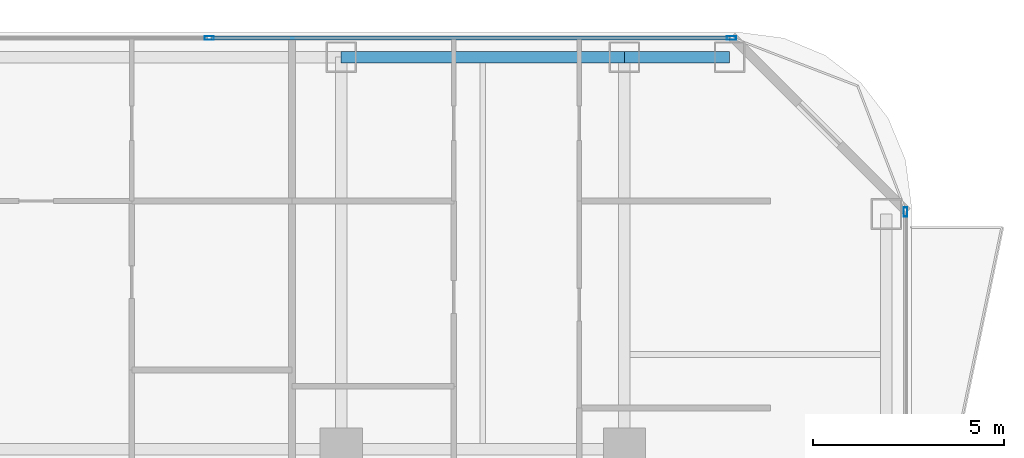
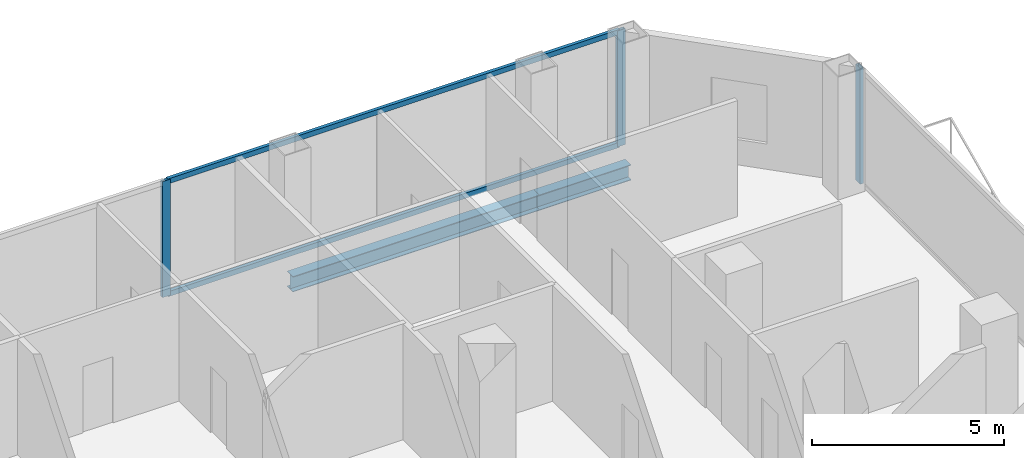
# One storey, part 16 of 28: 5 members, 2 beams, 2 elements without a shape of their own.
"""IFC4 building model written with IfcOpenShell, lengths in metres."""

from ifc_helpers import new_model, si_unit, direction, frame, origin, origin_2d, place, context, subcontext, project, spatial, hollow_rectangle, i_section, extrude, material, layer, layer_set, material_profile, profile_set, type_object, element, aggregate, save


model = new_model("IFC4")

# Units and contexts
model_context = context("Model", 3, precision=1e-05, world=origin(), true_north=direction((0.0, 1.0)))
body_context = subcontext(model_context, "Body", "Model", "MODEL_VIEW")
ifc_project = project(units=[si_unit("LENGTHUNIT", "METRE"), si_unit("AREAUNIT", "SQUARE_METRE"), si_unit("VOLUMEUNIT", "CUBIC_METRE"), si_unit("PLANEANGLEUNIT", "RADIAN"), si_unit("MASSUNIT", "GRAM", prefix="KILO")], contexts=[model_context])

# Site, building, storey
site_placement = place(None, origin())
site = spatial("IfcSite", under=ifc_project, at=site_placement, CompositionType="ELEMENT")
building_placement = place(site_placement, origin())
building = spatial("IfcBuilding", under=site, at=building_placement, Name="Khorvyn Point Tower", CompositionType="ELEMENT")
storey_placement = place(building_placement, frame((0.0, 0.0, 89.10009765625)))
storey = spatial("IfcBuildingStorey", under=building, at=storey_placement, Name="L22", CompositionType="ELEMENT", Elevation=89.10009765625)

# Curtain wall, members
ifc_material_1 = material(Name="Anodised aluminium 6063-T6 and laminated Low-E glass", Category="aluminium")
ifc_layer = layer(ifc_material_1, 0.18994140625)
ifc_layer_set = layer_set([ifc_layer], Name="Stick-Built Finned Residential Curtain Wall CW-SYS-02")
curtain_wall_type = type_object("IfcCurtainWallType", Name="Stick-Built Finned Residential Curtain Wall CW-SYS-02", PredefinedType="NOTDEFINED", material=ifc_layer_set)
curtain_wall_1_placement = place(storey_placement, origin())
curtain_wall_1 = element("IfcCurtainWall", 1, at=curtain_wall_1_placement, inside=storey, type_object=curtain_wall_type, Name="Curtain Wall", PredefinedType="NOTDEFINED")
ifc_material_2 = material(Name="Anodised aluminium 6063-T6", Category="aluminium")
ifc_material_profile_1 = material_profile(ifc_material_2, hollow_rectangle(XDim=0.10009765625, YDim=0.239990234375, WallThickness=0.0048828125, at=origin_2d()))
ifc_profile_set_1 = profile_set([ifc_material_profile_1], Name="Anodised aluminium 6063-T6 ALU-MUL-100x240")
member_type_1 = type_object("IfcMemberType", Name="Anodised Aluminium 6063-T6 Mullion ALU-MUL-100x240", PredefinedType="MULLION", material=ifc_profile_set_1)
member_1_placement = place(storey_placement, frame((3.949951171875, 30.85009765625, 0.0), z_axis=(0.0, 0.0, 1.0), x_axis=(0.0, 1.0, 0.0)))
member_1 = element("IfcMember", 2, at=member_1_placement, type_object=member_type_1, Name="Transom", PredefinedType="MULLION", context=body_context, shape_type="SweptSolid", body=[
    extrude(hollow_rectangle(XDim=0.10009765625, YDim=0.239990234375, WallThickness=0.0048828125, at=origin_2d()), origin(), (0.0, 0.0, 1.0), 3.679931640625),
])
member_2_placement = place(storey_placement, frame((17.60009765625, 30.85009765625, 0.0), z_axis=(0.0, 0.0, 1.0), x_axis=(0.0, 1.0, 0.0)))
member_2 = element("IfcMember", 3, at=member_2_placement, type_object=member_type_1, Name="Transom", PredefinedType="MULLION", context=body_context, shape_type="SweptSolid", body=[
    extrude(hollow_rectangle(XDim=0.10009765625, YDim=0.239990234375, WallThickness=0.0048828125, at=origin_2d()), origin(), (0.0, 0.0, 1.0), 3.679931640625),
])

# Curtain wall, member
curtain_wall_2_placement = place(storey_placement, origin())
curtain_wall_2 = element("IfcCurtainWall", 4, at=curtain_wall_2_placement, inside=storey, type_object=curtain_wall_type, Name="Curtain Wall", PredefinedType="NOTDEFINED")
member_3_placement = place(storey_placement, frame((22.14990234375, 26.300048828125, 0.0), z_axis=(0.0, 0.0, 1.0), x_axis=(1.0, 0.0, 0.0)))
member_3 = element("IfcMember", 5, at=member_3_placement, type_object=member_type_1, Name="Transom", PredefinedType="MULLION", context=body_context, shape_type="SweptSolid", body=[
    extrude(hollow_rectangle(XDim=0.10009765625, YDim=0.239990234375, WallThickness=0.0048828125, at=origin_2d()), origin(), (0.0, 0.0, 1.0), 3.679931640625),
])
aggregate(curtain_wall_2, [member_3])

# Member
ifc_material_profile_2 = material_profile(ifc_material_2, hollow_rectangle(XDim=0.10009765625, YDim=0.159912109375, WallThickness=0.00439453125, at=origin_2d()))
ifc_profile_set_2 = profile_set([ifc_material_profile_2], Name="Anodised aluminium 6063-T6 ALU-TRN-100x160")
member_type_2 = type_object("IfcMemberType", Name="Anodised Aluminium 6063-T6 Transom ALU-TRN-100x160", PredefinedType="USERDEFINED", material=ifc_profile_set_2)
member_4_placement = place(storey_placement, frame((4.0, 30.85009765625, 0.0498046875), z_axis=(1.0, 0.0, 0.0), x_axis=(0.0, 1.0, 0.0)))
member_4 = element("IfcMember", 6, at=member_4_placement, type_object=member_type_2, Name="Transom", ObjectType="TRANSOM", PredefinedType="USERDEFINED", context=body_context, shape_type="SweptSolid", body=[
    extrude(hollow_rectangle(XDim=0.10009765625, YDim=0.159912109375, WallThickness=0.00439453125, at=origin_2d()), origin(), (0.0, 0.0, 1.0), 13.550048828125),
])

member_5_placement = place(storey_placement, frame((4.0, 30.85009765625, 3.6298828125), z_axis=(1.0, 0.0, 0.0), x_axis=(0.0, 1.0, 0.0)))
member_5 = element("IfcMember", 7, at=member_5_placement, type_object=member_type_2, Name="Transom", ObjectType="TRANSOM", PredefinedType="USERDEFINED", context=body_context, shape_type="SweptSolid", body=[
    extrude(hollow_rectangle(XDim=0.10009765625, YDim=0.159912109375, WallThickness=0.00439453125, at=origin_2d()), origin(), (0.0, 0.0, 1.0), 13.550048828125),
])

aggregate(curtain_wall_1, [member_1, member_2, member_4, member_5])

# Beams
ifc_material_3 = material(Name="Steel S355", Category="steel")
ifc_material_profile_3 = material_profile(ifc_material_3, i_section(OverallWidth=0.300048828125, OverallDepth=0.488037109375, WebThickness=0.010986328125, FlangeThickness=0.01806640625, at=origin_2d()))
ifc_profile_set_3 = profile_set([ifc_material_profile_3], Name="Steel S355 H488x300x11x18")
beam_type = type_object("IfcBeamType", Name="Steel S355 Spandrel H488x300x11x18", PredefinedType="SPANDREL", material=ifc_profile_set_3)
beam_1_placement = place(storey_placement, frame((7.39990234375, 30.35009765625, -0.464111328125), z_axis=(1.0, 0.0, 0.0), x_axis=(0.0, 1.0, 0.0)))
element("IfcBeam", 8, at=beam_1_placement, inside=storey, type_object=beam_type, Name="Beam", PredefinedType="SPANDREL", context=body_context, shape_type="SweptSolid", body=[
    extrude(i_section(OverallWidth=0.300048828125, OverallDepth=0.488037109375, WebThickness=0.010986328125, FlangeThickness=0.01806640625, at=origin_2d()), origin(), (0.0, 0.0, 1.0), 7.400146484375),
])
beam_2_placement = place(storey_placement, frame((14.800048828125, 30.35009765625, -0.464111328125), z_axis=(1.0, 0.0, 0.0), x_axis=(0.0, 1.0, 0.0)))
element("IfcBeam", 9, at=beam_2_placement, inside=storey, type_object=beam_type, Name="Beam", PredefinedType="SPANDREL", context=body_context, shape_type="SweptSolid", body=[
    extrude(i_section(OverallWidth=0.300048828125, OverallDepth=0.488037109375, WebThickness=0.010986328125, FlangeThickness=0.01806640625, at=origin_2d()), origin(), (0.0, 0.0, 1.0), 2.75),
])

save(model, "model.ifc")
